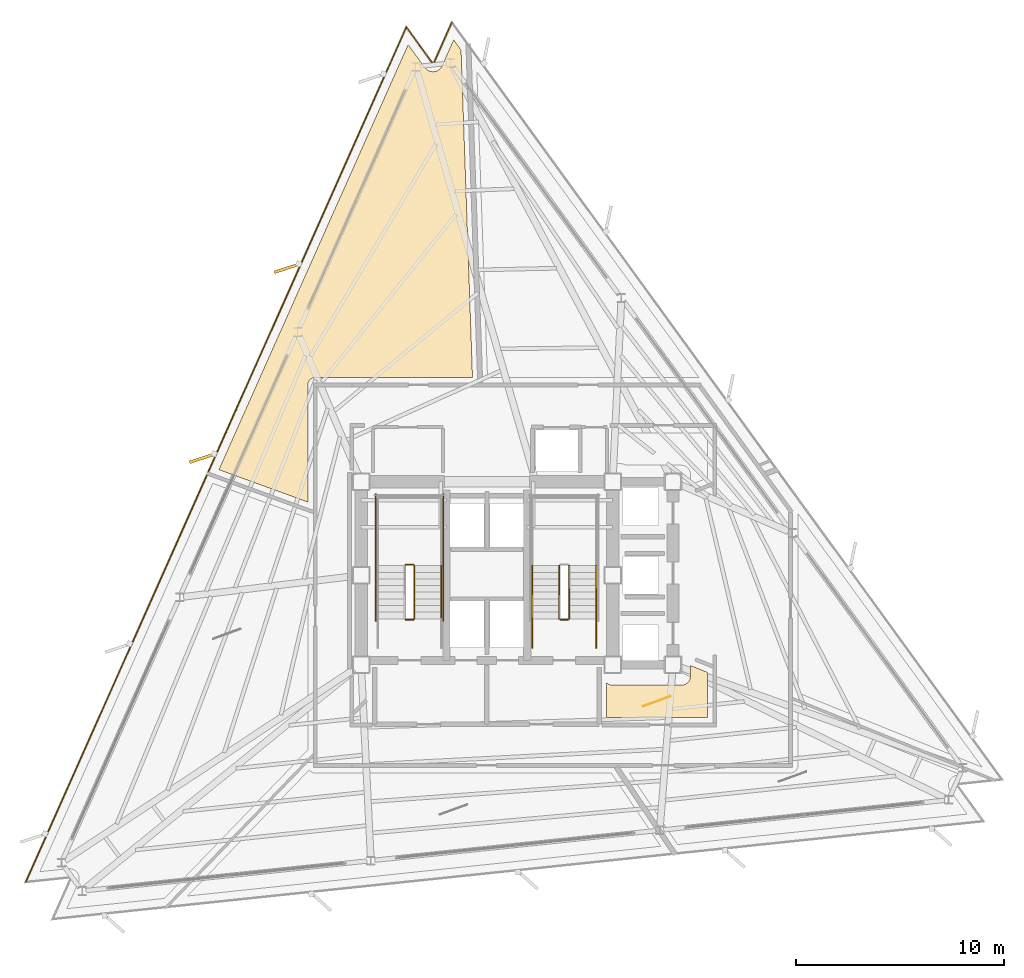
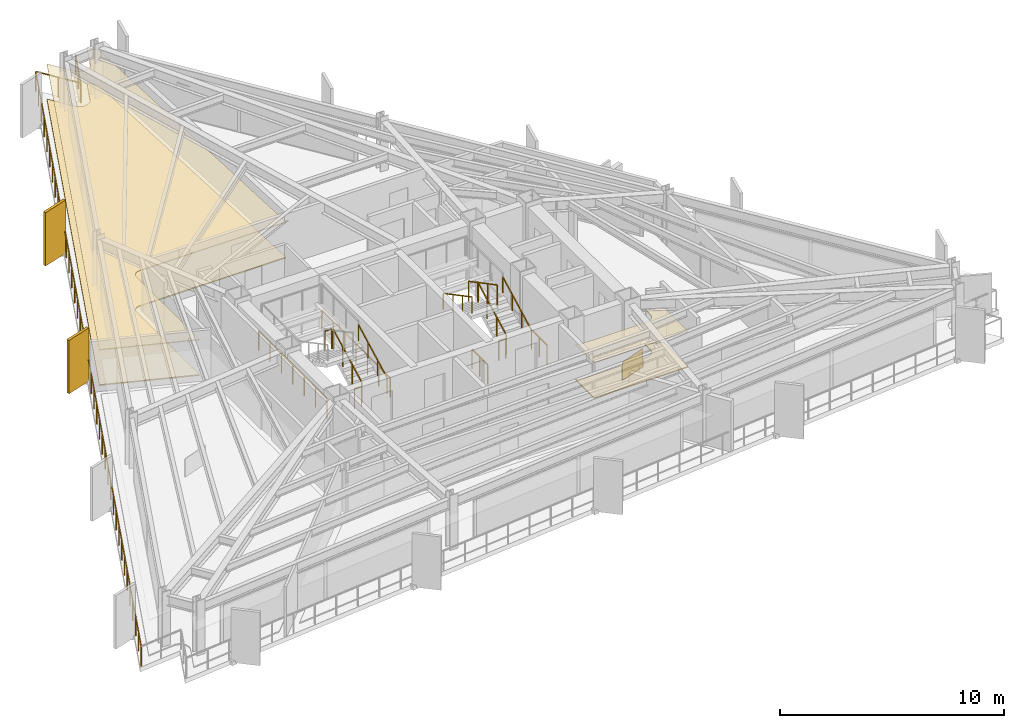
# One storey, part 11 of 13: 14 railings, 5 coverings, 2 shading devices.
"""IFC4 building model written with IfcOpenShell, lengths in metres."""

from ifc_helpers import new_model, si_unit, direction, frame, origin, origin_2d, place, context, subcontext, project, spatial, polyline, rectangle, outline, extrude, material, layer, layer_set, type_object, element, save


model = new_model("IFC4")

# Units and contexts
model_context = context("Model", 3, precision=1e-05, world=origin(), true_north=direction((0.0, 1.0)))
body_context = subcontext(model_context, "Body", "Model", "MODEL_VIEW")
ifc_project = project(units=[si_unit("LENGTHUNIT", "METRE"), si_unit("AREAUNIT", "SQUARE_METRE"), si_unit("VOLUMEUNIT", "CUBIC_METRE"), si_unit("PLANEANGLEUNIT", "RADIAN"), si_unit("MASSUNIT", "GRAM", prefix="KILO")], contexts=[model_context])

# Site, building, storey
site_placement = place(None, origin())
site = spatial("IfcSite", under=ifc_project, at=site_placement, CompositionType="ELEMENT")
building_placement = place(site_placement, origin())
building = spatial("IfcBuilding", under=site, at=building_placement, Name="Rocaltana Carrier Exchange", CompositionType="ELEMENT")
storey_placement = place(building_placement, frame((0.0, 0.0, 119.840087890625)))
storey = spatial("IfcBuildingStorey", under=building, at=storey_placement, Name="L37", CompositionType="ELEMENT", Elevation=119.840087890625)

# Coverings
ifc_material_1 = material(Name="Calcium Sulphate & Aluminium Pedestal", Category="aluminium")
ifc_layer_1 = layer(ifc_material_1, 0.06005859375)
ifc_layer_set_1 = layer_set([ifc_layer_1], Name="Calcium Sulphate & Aluminium Pedestal")
covering_type_1 = type_object("IfcCoveringType", Name="Anti-Static Raised Exchange Access Floor 60", PredefinedType="FLOORING", material=ifc_layer_set_1)
covering_1_placement = place(storey_placement, origin())
element("IfcCovering", 1, at=covering_1_placement, inside=storey, type_object=covering_type_1, Name="L37 Cloud Architecture Office Finish Floor", PredefinedType="FLOORING", context=body_context, shape_type="SweptSolid", body=[
    extrude(outline(polyline([(5.739990234375, -6.840087890625), (5.739990234375, -5.161865234375), (5.748779296875, -5.170654296875), (5.760498046875, -5.18115234375), (5.78173828125, -5.198486328125), (5.794189453125, -5.2080078125), (5.817138671875, -5.22314453125), (5.83056640625, -5.231201171875), (5.85498046875, -5.244140625), (5.869140625, -5.2509765625), (5.894287109375, -5.261474609375), (5.9091796875, -5.2666015625), (5.935546875, -5.274658203125), (5.95068359375, -5.278564453125), (5.977783203125, -5.283935546875), (5.9931640625, -5.2861328125), (6.0205078125, -5.288818359375), (6.036376953125, -5.289794921875), (6.050048828125, -5.2900390625), (9.35009765625, -5.2900390625), (9.36376953125, -5.289794921875), (9.37939453125, -5.288818359375), (9.40673828125, -5.2861328125), (9.42236328125, -5.283935546875), (9.44921875, -5.278564453125), (9.464599609375, -5.274658203125), (9.49072265625, -5.2666015625), (9.505615234375, -5.261474609375), (9.531005859375, -5.2509765625), (9.545166015625, -5.244140625), (9.5693359375, -5.231201171875), (9.582763671875, -5.22314453125), (9.605712890625, -5.2080078125), (9.618408203125, -5.198486328125), (9.639404296875, -5.18115234375), (9.651123046875, -5.170654296875), (9.670654296875, -5.151123046875), (9.68115234375, -5.139404296875), (9.698486328125, -5.118408203125), (9.7080078125, -5.105712890625), (9.72314453125, -5.082763671875), (9.731201171875, -5.0693359375), (9.744140625, -5.045166015625), (9.7509765625, -5.031005859375), (9.761474609375, -5.005615234375), (9.7666015625, -4.99072265625), (9.774658203125, -4.964599609375), (9.778564453125, -4.94921875), (9.783935546875, -4.92236328125), (9.7861328125, -4.90673828125), (9.788818359375, -4.87939453125), (9.789794921875, -4.86376953125), (9.7900390625, -4.85009765625), (9.7900390625, -4.34375), (10.60009765625, -4.6708984375), (10.60009765625, -6.840087890625), (5.739990234375, -6.840087890625)])), origin(), (0.0, 0.0, 1.0), 0.059814453125),
])
covering_2_placement = place(storey_placement, origin())
element("IfcCovering", 2, at=covering_2_placement, inside=storey, type_object=covering_type_1, Name="L37 Quiet Focus Lounge Finish Floor", PredefinedType="FLOORING", context=body_context, shape_type="SweptSolid", body=[
    extrude(outline(polyline([(-3.787841796875, 25.51513671875), (-2.9833984375, 24.407958984375), (-2.974853515625, 24.39697265625), (-2.96240234375, 24.38134765625), (-2.943603515625, 24.360595703125), (-2.9296875, 24.34619140625), (-2.9091796875, 24.327392578125), (-2.893798828125, 24.314697265625), (-2.87158203125, 24.2978515625), (-2.85498046875, 24.286865234375), (-2.8310546875, 24.272216796875), (-2.8134765625, 24.262939453125), (-2.788330078125, 24.2509765625), (-2.77001953125, 24.243408203125), (-2.74365234375, 24.23388671875), (-2.724609375, 24.22802734375), (-2.697509765625, 24.22119140625), (-2.677978515625, 24.217529296875), (-2.650390625, 24.21337890625), (-2.630615234375, 24.211669921875), (-2.6025390625, 24.210205078125), (-2.58251953125, 24.21044921875), (-2.5546875, 24.2119140625), (-2.534912109375, 24.214111328125), (-2.50732421875, 24.21826171875), (-2.48779296875, 24.222412109375), (-2.460693359375, 24.2294921875), (-2.44189453125, 24.2353515625), (-2.41552734375, 24.2451171875), (-2.397216796875, 24.2529296875), (-2.372314453125, 24.26513671875), (-2.354736328125, 24.274658203125), (-2.3310546875, 24.289306640625), (-2.314697265625, 24.30078125), (-2.29248046875, 24.317626953125), (-2.277099609375, 24.33056640625), (-2.2568359375, 24.349609375), (-2.242919921875, 24.364013671875), (-2.224609375, 24.385009765625), (-2.212158203125, 24.400634765625), (-2.196044921875, 24.42333984375), (-2.185302734375, 24.440185546875), (-2.17138671875, 24.464599609375), (-2.16259765625, 24.482421875), (-2.156494140625, 24.494873046875), (-1.599853515625, 25.7451171875), (-1.2421875, 25.252685546875), (-0.6923828125, 9.510009765625), (-8.25, 9.510009765625), (-8.263671875, 9.509765625), (-8.271484375, 9.50927734375), (-8.298828125, 9.506591796875), (-8.306640625, 9.50537109375), (-8.33349609375, 9.5), (-8.34130859375, 9.498291015625), (-8.36767578125, 9.490234375), (-8.375, 9.487548828125), (-8.400390625, 9.47705078125), (-8.407470703125, 9.4736328125), (-8.431640625, 9.460693359375), (-8.4384765625, 9.456787109375), (-8.461181640625, 9.44140625), (-8.467529296875, 9.436767578125), (-8.48876953125, 9.419189453125), (-8.49462890625, 9.4140625), (-8.513916015625, 9.39453125), (-8.519287109375, 9.388916015625), (-8.53662109375, 9.367431640625), (-8.54150390625, 9.361083984375), (-8.556640625, 9.33837890625), (-8.560791015625, 9.331787109375), (-8.57373046875, 9.307373046875), (-8.576904296875, 9.30029296875), (-8.58740234375, 9.27490234375), (-8.590087890625, 9.267578125), (-8.59814453125, 9.2412109375), (-8.60009765625, 9.233642578125), (-8.60546875, 9.206787109375), (-8.606689453125, 9.198974609375), (-8.609375, 9.171630859375), (-8.609619140625, 9.163818359375), (-8.610107421875, 9.14990234375), (-8.610107421875, 3.516845703125), (-12.888671875, 5.07421875), (-3.787841796875, 25.51513671875)])), origin(), (0.0, 0.0, 1.0), 0.059814453125),
])
ifc_material_2 = material(Name="Mineral Fibre & Powder-Coated Aluminium", Category="aluminium")
ifc_layer_2 = layer(ifc_material_2, 0.044921875)
ifc_layer_set_2 = layer_set([ifc_layer_2], Name="Mineral Fibre & Powder-Coated Aluminium")
covering_type_2 = type_object("IfcCoveringType", Name="Micro-Perforated Acoustic Ceiling 45", PredefinedType="CEILING", material=ifc_layer_set_2)
covering_3_placement = place(storey_placement, frame((0.0, 0.0, 1.932861328125)))
element("IfcCovering", 3, at=covering_3_placement, inside=storey, type_object=covering_type_2, Name="L37 Cloud Architecture Office Acoustic Ceiling", PredefinedType="CEILING", context=body_context, shape_type="SweptSolid", body=[
    extrude(outline(polyline([(5.739990234375, -6.840087890625), (5.739990234375, -5.161865234375), (5.748779296875, -5.170654296875), (5.760498046875, -5.18115234375), (5.78173828125, -5.198486328125), (5.794189453125, -5.2080078125), (5.817138671875, -5.22314453125), (5.83056640625, -5.231201171875), (5.85498046875, -5.244140625), (5.869140625, -5.2509765625), (5.894287109375, -5.261474609375), (5.9091796875, -5.2666015625), (5.935546875, -5.274658203125), (5.95068359375, -5.278564453125), (5.977783203125, -5.283935546875), (5.9931640625, -5.2861328125), (6.0205078125, -5.288818359375), (6.036376953125, -5.289794921875), (6.050048828125, -5.2900390625), (9.35009765625, -5.2900390625), (9.36376953125, -5.289794921875), (9.37939453125, -5.288818359375), (9.40673828125, -5.2861328125), (9.42236328125, -5.283935546875), (9.44921875, -5.278564453125), (9.464599609375, -5.274658203125), (9.49072265625, -5.2666015625), (9.505615234375, -5.261474609375), (9.531005859375, -5.2509765625), (9.545166015625, -5.244140625), (9.5693359375, -5.231201171875), (9.582763671875, -5.22314453125), (9.605712890625, -5.2080078125), (9.618408203125, -5.198486328125), (9.639404296875, -5.18115234375), (9.651123046875, -5.170654296875), (9.670654296875, -5.151123046875), (9.68115234375, -5.139404296875), (9.698486328125, -5.118408203125), (9.7080078125, -5.105712890625), (9.72314453125, -5.082763671875), (9.731201171875, -5.0693359375), (9.744140625, -5.045166015625), (9.7509765625, -5.031005859375), (9.761474609375, -5.005615234375), (9.7666015625, -4.99072265625), (9.774658203125, -4.964599609375), (9.778564453125, -4.94921875), (9.783935546875, -4.92236328125), (9.7861328125, -4.90673828125), (9.788818359375, -4.87939453125), (9.789794921875, -4.86376953125), (9.7900390625, -4.85009765625), (9.7900390625, -4.34375), (10.60009765625, -4.6708984375), (10.60009765625, -6.840087890625), (5.739990234375, -6.840087890625)])), origin(), (0.0, 0.0, 1.0), 0.045166015625),
])
covering_4_placement = place(storey_placement, frame((0.0, 0.0, 1.932861328125)))
element("IfcCovering", 4, at=covering_4_placement, inside=storey, type_object=covering_type_2, Name="L37 Quiet Focus Lounge Acoustic Ceiling", PredefinedType="CEILING", context=body_context, shape_type="SweptSolid", body=[
    extrude(outline(polyline([(-3.787841796875, 25.51513671875), (-2.9833984375, 24.407958984375), (-2.974853515625, 24.39697265625), (-2.96240234375, 24.38134765625), (-2.943603515625, 24.360595703125), (-2.9296875, 24.34619140625), (-2.9091796875, 24.327392578125), (-2.893798828125, 24.314697265625), (-2.87158203125, 24.2978515625), (-2.85498046875, 24.286865234375), (-2.8310546875, 24.272216796875), (-2.8134765625, 24.262939453125), (-2.788330078125, 24.2509765625), (-2.77001953125, 24.243408203125), (-2.74365234375, 24.23388671875), (-2.724609375, 24.22802734375), (-2.697509765625, 24.22119140625), (-2.677978515625, 24.217529296875), (-2.650390625, 24.21337890625), (-2.630615234375, 24.211669921875), (-2.6025390625, 24.210205078125), (-2.58251953125, 24.21044921875), (-2.5546875, 24.2119140625), (-2.534912109375, 24.214111328125), (-2.50732421875, 24.21826171875), (-2.48779296875, 24.222412109375), (-2.460693359375, 24.2294921875), (-2.44189453125, 24.2353515625), (-2.41552734375, 24.2451171875), (-2.397216796875, 24.2529296875), (-2.372314453125, 24.26513671875), (-2.354736328125, 24.274658203125), (-2.3310546875, 24.289306640625), (-2.314697265625, 24.30078125), (-2.29248046875, 24.317626953125), (-2.277099609375, 24.33056640625), (-2.2568359375, 24.349609375), (-2.242919921875, 24.364013671875), (-2.224609375, 24.385009765625), (-2.212158203125, 24.400634765625), (-2.196044921875, 24.42333984375), (-2.185302734375, 24.440185546875), (-2.17138671875, 24.464599609375), (-2.16259765625, 24.482421875), (-2.156494140625, 24.494873046875), (-1.599853515625, 25.7451171875), (-1.2421875, 25.252685546875), (-0.6923828125, 9.510009765625), (-8.25, 9.510009765625), (-8.263671875, 9.509765625), (-8.271484375, 9.50927734375), (-8.298828125, 9.506591796875), (-8.306640625, 9.50537109375), (-8.33349609375, 9.5), (-8.34130859375, 9.498291015625), (-8.36767578125, 9.490234375), (-8.375, 9.487548828125), (-8.400390625, 9.47705078125), (-8.407470703125, 9.4736328125), (-8.431640625, 9.460693359375), (-8.4384765625, 9.456787109375), (-8.461181640625, 9.44140625), (-8.467529296875, 9.436767578125), (-8.48876953125, 9.419189453125), (-8.49462890625, 9.4140625), (-8.513916015625, 9.39453125), (-8.519287109375, 9.388916015625), (-8.53662109375, 9.367431640625), (-8.54150390625, 9.361083984375), (-8.556640625, 9.33837890625), (-8.560791015625, 9.331787109375), (-8.57373046875, 9.307373046875), (-8.576904296875, 9.30029296875), (-8.58740234375, 9.27490234375), (-8.590087890625, 9.267578125), (-8.59814453125, 9.2412109375), (-8.60009765625, 9.233642578125), (-8.60546875, 9.206787109375), (-8.606689453125, 9.198974609375), (-8.609375, 9.171630859375), (-8.609619140625, 9.163818359375), (-8.610107421875, 9.14990234375), (-8.610107421875, 3.516845703125), (-12.888671875, 5.07421875), (-3.787841796875, 25.51513671875)])), origin(), (0.0, 0.0, 1.0), 0.045166015625),
])

# Railings
ifc_material_3 = material(Name="Brushed Architectural Stainless Tube", Category="steel")
ifc_layer_3 = layer(ifc_material_3, 0.048095703125)
ifc_layer_set_3 = layer_set([ifc_layer_3], Name="Brushed Architectural Stainless Tube")
railing_type_1 = type_object("IfcRailingType", Name="Stair Wall Handrail 920", PredefinedType="HANDRAIL", material=ifc_layer_set_3)
for number, where, name in (
    (5, (-2.18994140625, -2.10009765625, 0.168701171875), "L37 ST-1 stair handrail 1"),
    (6, (5.25, -2.10009765625, 0.168701171875), "L37 ST-2 stair handrail 1"),
):
    element("IfcRailing", number, at=place(storey_placement, frame(where)), inside=storey, type_object=railing_type_1, Name=name, PredefinedType="HANDRAIL", context=body_context, shape_type="SweptSolid", body=[
        extrude(rectangle(XDim=0.048095703125, YDim=0.048095703125, at=origin_2d()), frame((0.0, 0.0, 0.8759765625), z_axis=(0.0, 0.884359608194, 0.46680625895), x_axis=(-1.0, 0.0, 0.0)), (0.0, 0.0, 1.0), 2.894775390625),
        extrude(rectangle(XDim=0.0419921875, YDim=0.0419921875, at=origin_2d()), origin(), (0.0, 0.0, 1.0), 0.851806640625),
        extrude(rectangle(XDim=0.0419921875, YDim=0.0419921875, at=origin_2d()), frame((0.0, 0.853271484375, 0.450439453125)), (0.0, 0.0, 1.0), 0.851806640625),
        extrude(rectangle(XDim=0.0419921875, YDim=0.0419921875, at=origin_2d()), frame((0.0, 1.706787109375, 0.90087890625)), (0.0, 0.0, 1.0), 0.851806640625),
        extrude(rectangle(XDim=0.0419921875, YDim=0.0419921875, at=origin_2d()), frame((0.0, 2.56005859375, 1.351318359375)), (0.0, 0.0, 1.0), 0.851806640625),
    ])
railing_1_placement = place(storey_placement, frame((2.18994140625, 0.4599609375, 1.688720703125)))
element("IfcRailing", 7, at=railing_1_placement, inside=storey, type_object=railing_type_1, Name="L37 ST-2 stair handrail 2", PredefinedType="HANDRAIL", context=body_context, shape_type="SweptSolid", body=[
    extrude(rectangle(XDim=0.048095703125, YDim=0.048095703125, at=origin_2d()), frame((0.0, 0.0, 0.8759765625), z_axis=(0.0, -0.884394423565, 0.466740295633), x_axis=(1.0, 0.0, 0.0)), (0.0, 0.0, 1.0), 2.894775390625),
    extrude(rectangle(XDim=0.0419921875, YDim=0.0419921875, at=origin_2d()), origin(), (0.0, 0.0, 1.0), 0.851806640625),
    extrude(rectangle(XDim=0.0419921875, YDim=0.0419921875, at=origin_2d()), frame((0.0, -0.853271484375, 0.450439453125)), (0.0, 0.0, 1.0), 0.851806640625),
    extrude(rectangle(XDim=0.0419921875, YDim=0.0419921875, at=origin_2d()), frame((0.0, -1.706787109375, 0.900634765625)), (0.0, 0.0, 1.0), 0.851806640625),
    extrude(rectangle(XDim=0.0419921875, YDim=0.0419921875, at=origin_2d()), frame((0.0, -2.56005859375, 1.35107421875)), (0.0, 0.0, 1.0), 0.851806640625),
])
ifc_material_4 = material(Name="Powder-Coated Aluminium 6063-T6", Category="aluminium")
ifc_layer_4 = layer(ifc_material_4, 0.048095703125)
ifc_layer_set_4 = layer_set([ifc_layer_4], Name="Powder-Coated Aluminium 6063-T6")
railing_type_2 = type_object("IfcRailingType", Name="Stair Well Guardrail 1100", PredefinedType="GUARDRAIL", material=ifc_layer_set_4)
railing_2_placement = place(storey_placement, frame((-3.489990234375, -2.10009765625, 0.168701171875)))
element("IfcRailing", 8, at=railing_2_placement, inside=storey, type_object=railing_type_2, Name="L37 ST-1 stair guard 1", PredefinedType="GUARDRAIL", context=body_context, shape_type="SweptSolid", body=[
    extrude(rectangle(XDim=0.048095703125, YDim=0.048095703125, at=origin_2d()), frame((0.0, 0.0, 1.076171875), z_axis=(0.0, 0.884359608194, 0.46680625895), x_axis=(-1.0, 0.0, 0.0)), (0.0, 0.0, 1.0), 2.894775390625),
    extrude(rectangle(XDim=0.0419921875, YDim=0.0419921875, at=origin_2d()), origin(), (0.0, 0.0, 1.0), 1.052001953125),
    extrude(rectangle(XDim=0.0419921875, YDim=0.0419921875, at=origin_2d()), frame((0.0, 0.853271484375, 0.450439453125)), (0.0, 0.0, 1.0), 1.052001953125),
    extrude(rectangle(XDim=0.0419921875, YDim=0.0419921875, at=origin_2d()), frame((0.0, 1.706787109375, 0.90087890625)), (0.0, 0.0, 1.0), 1.052001953125),
    extrude(rectangle(XDim=0.0419921875, YDim=0.0419921875, at=origin_2d()), frame((0.0, 2.56005859375, 1.351318359375)), (0.0, 0.0, 1.0), 1.052001953125),
])
for number, where, name in (
    (9, (-3.5400390625, 0.510009765625, 1.52001953125), "L37 ST-1 stair guard 2"),
    (10, (-3.5400390625, -2.14990234375, 0.0), "L37 ST-1 stair guard 7"),
):
    element("IfcRailing", number, at=place(storey_placement, frame(where)), inside=storey, type_object=railing_type_2, Name=name, PredefinedType="GUARDRAIL", context=body_context, shape_type="SweptSolid", body=[
        extrude(rectangle(XDim=0.048095703125, YDim=0.048095703125, at=origin_2d()), frame((0.0, 0.0, 1.076171875), z_axis=(-1.0, 0.0, 0.0), x_axis=(0.0, -1.0, 0.0)), (0.0, 0.0, 1.0), 0.35986328125),
        extrude(rectangle(XDim=0.0419921875, YDim=0.0419921875, at=origin_2d()), origin(), (0.0, 0.0, 1.0), 1.052001953125),
        extrude(rectangle(XDim=0.0419921875, YDim=0.0419921875, at=origin_2d()), frame((-0.35986328125, 0.0, 0.0)), (0.0, 0.0, 1.0), 1.052001953125),
    ])
for number, where, name in (
    (11, (-2.090087890625, -2.199951171875, 0.0), "L37 ST-1 stair guard 10"),
    (12, (-5.35009765625, -2.199951171875, 0.0), "L37 ST-1 stair guard 11"),
):
    element("IfcRailing", number, at=place(storey_placement, frame(where)), inside=storey, type_object=railing_type_2, Name=name, PredefinedType="GUARDRAIL", context=body_context, shape_type="SweptSolid", body=[
        extrude(rectangle(XDim=0.048095703125, YDim=0.048095703125, at=origin_2d()), frame((0.0, 0.0, 1.076171875), z_axis=(0.0, 1.0, 0.0), x_axis=(-1.0, 0.0, 0.0)), (0.0, 0.0, 1.0), 6.099853515625),
        extrude(rectangle(XDim=0.0419921875, YDim=0.0419921875, at=origin_2d()), origin(), (0.0, 0.0, 1.0), 1.052001953125),
        extrude(rectangle(XDim=0.0419921875, YDim=0.0419921875, at=origin_2d()), frame((0.0, 1.0166015625, 0.0)), (0.0, 0.0, 1.0), 1.052001953125),
        extrude(rectangle(XDim=0.0419921875, YDim=0.0419921875, at=origin_2d()), frame((0.0, 2.033203125, 0.0)), (0.0, 0.0, 1.0), 1.052001953125),
        extrude(rectangle(XDim=0.0419921875, YDim=0.0419921875, at=origin_2d()), frame((0.0, 3.0498046875, 0.0)), (0.0, 0.0, 1.0), 1.052001953125),
        extrude(rectangle(XDim=0.0419921875, YDim=0.0419921875, at=origin_2d()), frame((0.0, 4.066650390625, 0.0)), (0.0, 0.0, 1.0), 1.052001953125),
        extrude(rectangle(XDim=0.0419921875, YDim=0.0419921875, at=origin_2d()), frame((0.0, 5.083251953125, 0.0)), (0.0, 0.0, 1.0), 1.052001953125),
        extrude(rectangle(XDim=0.0419921875, YDim=0.0419921875, at=origin_2d()), frame((0.0, 6.099853515625, 0.0)), (0.0, 0.0, 1.0), 1.052001953125),
    ])
railing_3_placement = place(storey_placement, frame((3.949951171875, -2.10009765625, 0.168701171875)))
element("IfcRailing", 13, at=railing_3_placement, inside=storey, type_object=railing_type_2, Name="L37 ST-2 stair guard 1", PredefinedType="GUARDRAIL", context=body_context, shape_type="SweptSolid", body=[
    extrude(rectangle(XDim=0.048095703125, YDim=0.048095703125, at=origin_2d()), frame((0.0, 0.0, 1.076171875), z_axis=(0.0, 0.884359608194, 0.46680625895), x_axis=(-1.0, 0.0, 0.0)), (0.0, 0.0, 1.0), 2.894775390625),
    extrude(rectangle(XDim=0.0419921875, YDim=0.0419921875, at=origin_2d()), origin(), (0.0, 0.0, 1.0), 1.052001953125),
    extrude(rectangle(XDim=0.0419921875, YDim=0.0419921875, at=origin_2d()), frame((0.0, 0.853271484375, 0.450439453125)), (0.0, 0.0, 1.0), 1.052001953125),
    extrude(rectangle(XDim=0.0419921875, YDim=0.0419921875, at=origin_2d()), frame((0.0, 1.706787109375, 0.90087890625)), (0.0, 0.0, 1.0), 1.052001953125),
    extrude(rectangle(XDim=0.0419921875, YDim=0.0419921875, at=origin_2d()), frame((0.0, 2.56005859375, 1.351318359375)), (0.0, 0.0, 1.0), 1.052001953125),
])
railing_4_placement = place(storey_placement, frame((3.489990234375, 0.4599609375, 1.688720703125)))
element("IfcRailing", 14, at=railing_4_placement, inside=storey, type_object=railing_type_2, Name="L37 ST-2 stair guard 6", PredefinedType="GUARDRAIL", context=body_context, shape_type="SweptSolid", body=[
    extrude(rectangle(XDim=0.048095703125, YDim=0.048095703125, at=origin_2d()), frame((0.0, 0.0, 1.076171875), z_axis=(0.0, -0.884394423565, 0.466740295633), x_axis=(1.0, 0.0, 0.0)), (0.0, 0.0, 1.0), 2.894775390625),
    extrude(rectangle(XDim=0.0419921875, YDim=0.0419921875, at=origin_2d()), origin(), (0.0, 0.0, 1.0), 1.052001953125),
    extrude(rectangle(XDim=0.0419921875, YDim=0.0419921875, at=origin_2d()), frame((0.0, -0.853271484375, 0.450439453125)), (0.0, 0.0, 1.0), 1.052001953125),
    extrude(rectangle(XDim=0.0419921875, YDim=0.0419921875, at=origin_2d()), frame((0.0, -1.706787109375, 0.900634765625)), (0.0, 0.0, 1.0), 1.052001953125),
    extrude(rectangle(XDim=0.0419921875, YDim=0.0419921875, at=origin_2d()), frame((0.0, -2.56005859375, 1.35107421875)), (0.0, 0.0, 1.0), 1.052001953125),
])
railing_5_placement = place(storey_placement, frame((3.89990234375, -2.14990234375, 0.0)))
element("IfcRailing", 15, at=railing_5_placement, inside=storey, type_object=railing_type_2, Name="L37 ST-2 stair guard 7", PredefinedType="GUARDRAIL", context=body_context, shape_type="SweptSolid", body=[
    extrude(rectangle(XDim=0.048095703125, YDim=0.048095703125, at=origin_2d()), frame((0.0, 0.0, 1.076171875), z_axis=(-1.0, 0.0, 0.0), x_axis=(0.0, -1.0, 0.0)), (0.0, 0.0, 1.0), 0.35986328125),
    extrude(rectangle(XDim=0.0419921875, YDim=0.0419921875, at=origin_2d()), origin(), (0.0, 0.0, 1.0), 1.052001953125),
    extrude(rectangle(XDim=0.0419921875, YDim=0.0419921875, at=origin_2d()), frame((-0.35986328125, 0.0, 0.0)), (0.0, 0.0, 1.0), 1.052001953125),
])
for number, where, name in (
    (16, (5.25, -3.5, 0.0), "L37 ST-2 stair guard 8"),
    (17, (2.18994140625, -3.5, 0.0), "L37 ST-2 stair guard 9"),
):
    element("IfcRailing", number, at=place(storey_placement, frame(where)), inside=storey, type_object=railing_type_2, Name=name, PredefinedType="GUARDRAIL", context=body_context, shape_type="SweptSolid", body=[
        extrude(rectangle(XDim=0.048095703125, YDim=0.048095703125, at=origin_2d()), frame((0.0, 0.0, 1.076171875), z_axis=(0.0, 1.0, 0.0), x_axis=(-1.0, 0.0, 0.0)), (0.0, 0.0, 1.0), 1.39990234375),
        extrude(rectangle(XDim=0.0419921875, YDim=0.0419921875, at=origin_2d()), origin(), (0.0, 0.0, 1.0), 1.052001953125),
        extrude(rectangle(XDim=0.0419921875, YDim=0.0419921875, at=origin_2d()), frame((0.0, 0.699951171875, 0.0)), (0.0, 0.0, 1.0), 1.052001953125),
        extrude(rectangle(XDim=0.0419921875, YDim=0.0419921875, at=origin_2d()), frame((0.0, 1.39990234375, 0.0)), (0.0, 0.0, 1.0), 1.052001953125),
    ])

# Covering
ifc_material_5 = material(Name="Honed Piedra Muneca Sandstone", Category="masonry")
ifc_layer_5 = layer(ifc_material_5, 0.034912109375)
ifc_layer_set_5 = layer_set([ifc_layer_5], Name="Honed Piedra Muneca Sandstone")
covering_type_3 = type_object("IfcCoveringType", Name="Stone Facade Cladding 35", PredefinedType="CLADDING", material=ifc_layer_set_5)
covering_5_placement = place(storey_placement, frame((8.169921875, -6.06494140625, 0.0), z_axis=(0.0, 0.0, 1.0), x_axis=(0.939692620786, 0.342020143326, 0.0)))
element("IfcCovering", 18, at=covering_5_placement, inside=storey, type_object=covering_type_3, Name="L37 Stone Facade Cladding Panel 3", PredefinedType="CLADDING", context=body_context, shape_type="SweptSolid", body=[
    extrude(rectangle(XDim=1.39990234375, YDim=0.034912109375, at=origin_2d()), origin(), (0.0, 0.0, 1.0), 1.050048828125),
])

# Shading devices
ifc_material_6 = material(Name="Honed Bogota Sandstone & Concrete C45/55", Category="masonry")
ifc_layer_6 = layer(ifc_material_6, 0.139892578125)
ifc_layer_set_6 = layer_set([ifc_layer_6], Name="Honed Bogota Sandstone & Concrete C45/55")
shading_device_type = type_object("IfcShadingDeviceType", Name="Vertical Sandstone Shading Fin 1320x140", PredefinedType="USERDEFINED", material=ifc_layer_set_6)
for number, where, z_axis, x_axis, name in (
    (19, (-9.602783203125, 14.767578125, -0.1201171875), (0.0, 0.0, 1.0), (-0.951056516295, -0.309016994375, 0.0), "L37 Sandstone Vertical Fin F2-02"),
    (20, (-13.670166015625, 5.632080078125, -0.1201171875), (0.0, 0.0, 1.0), (-0.951056516295, -0.309016994375, 0.0), "L37 Sandstone Vertical Fin F2-03"),
):
    element("IfcShadingDevice", number, at=place(storey_placement, frame(where, z_axis=z_axis, x_axis=x_axis)), inside=storey, type_object=shading_device_type, Name=name, ObjectType="FIN", PredefinedType="USERDEFINED", context=body_context, shape_type="SweptSolid", body=[
        extrude(rectangle(XDim=1.320068359375, YDim=0.139892578125, at=origin_2d()), origin(), (0.0, 0.0, 1.0), 2.907958984375),
    ])

# Railing
ifc_material_7 = material(Name="Powder-Coated Aluminium 6063-T6", Category="aluminium")
ifc_layer_7 = layer(ifc_material_7, 0.06005859375)
ifc_layer_set_7 = layer_set([ifc_layer_7], Name="Powder-Coated Aluminium 6063-T6")
railing_type_3 = type_object("IfcRailingType", Name="Wind-Floor & Terrace Perimeter Guardrail 1100", PredefinedType="GUARDRAIL", material=ifc_layer_set_7)
railing_6_placement = place(storey_placement, frame((-22.175537109375, -14.751953125, 0.0)))
element("IfcRailing", 21, at=railing_6_placement, inside=storey, type_object=railing_type_3, Name="L37 Perimeter Balcony Guardrail 2", PredefinedType="GUARDRAIL", context=body_context, shape_type="SweptSolid", body=[
    extrude(rectangle(XDim=0.048095703125, YDim=0.048095703125, at=origin_2d()), frame((0.0, 0.0, 1.076171875), z_axis=(0.406732474308, 0.913547313686, 0.0), x_axis=(-0.913547313686, 0.406732474308, 0.0)), (0.0, 0.0, 1.0), 44.9921875),
    extrude(rectangle(XDim=0.048095703125, YDim=0.048095703125, at=origin_2d()), frame((18.2998046875, 41.1025390625, 1.076171875), z_axis=(0.587821928992, -0.808990345923, 0.0), x_axis=(0.808990345923, 0.587821928992, 0.0)), (0.0, 0.0, 1.0), 2.199951171875),
    extrude(rectangle(XDim=0.048095703125, YDim=0.048095703125, at=origin_2d()), frame((19.593017578125, 39.32275390625, 1.076171875), z_axis=(0.406725294076, 0.913550510459, 0.0), x_axis=(-0.913550510459, 0.406725294076, 0.0)), (0.0, 0.0, 1.0), 2.199951171875),
    extrude(rectangle(XDim=0.0419921875, YDim=0.0419921875, at=origin_2d()), origin(), (0.0, 0.0, 1.0), 1.052001953125),
    extrude(rectangle(XDim=0.0419921875, YDim=0.0419921875, at=origin_2d()), frame((0.481689453125, 1.08154296875, 0.0)), (0.0, 0.0, 1.0), 1.052001953125),
    extrude(rectangle(XDim=0.0419921875, YDim=0.0419921875, at=origin_2d()), frame((0.963134765625, 2.163330078125, 0.0)), (0.0, 0.0, 1.0), 1.052001953125),
    extrude(rectangle(XDim=0.0419921875, YDim=0.0419921875, at=origin_2d()), frame((1.44482421875, 3.244873046875, 0.0)), (0.0, 0.0, 1.0), 1.052001953125),
    extrude(rectangle(XDim=0.0419921875, YDim=0.0419921875, at=origin_2d()), frame((1.92626953125, 4.32666015625, 0.0)), (0.0, 0.0, 1.0), 1.052001953125),
    extrude(rectangle(XDim=0.0419921875, YDim=0.0419921875, at=origin_2d()), frame((2.407958984375, 5.408203125, 0.0)), (0.0, 0.0, 1.0), 1.052001953125),
    extrude(rectangle(XDim=0.0419921875, YDim=0.0419921875, at=origin_2d()), frame((2.889404296875, 6.489990234375, 0.0)), (0.0, 0.0, 1.0), 1.052001953125),
    extrude(rectangle(XDim=0.0419921875, YDim=0.0419921875, at=origin_2d()), frame((3.37109375, 7.571533203125, 0.0)), (0.0, 0.0, 1.0), 1.052001953125),
    extrude(rectangle(XDim=0.0419921875, YDim=0.0419921875, at=origin_2d()), frame((3.8525390625, 8.653076171875, 0.0)), (0.0, 0.0, 1.0), 1.052001953125),
    extrude(rectangle(XDim=0.0419921875, YDim=0.0419921875, at=origin_2d()), frame((4.334228515625, 9.73486328125, 0.0)), (0.0, 0.0, 1.0), 1.052001953125),
    extrude(rectangle(XDim=0.0419921875, YDim=0.0419921875, at=origin_2d()), frame((4.815673828125, 10.81640625, 0.0)), (0.0, 0.0, 1.0), 1.052001953125),
    extrude(rectangle(XDim=0.0419921875, YDim=0.0419921875, at=origin_2d()), frame((5.29736328125, 11.898193359375, 0.0)), (0.0, 0.0, 1.0), 1.052001953125),
    extrude(rectangle(XDim=0.0419921875, YDim=0.0419921875, at=origin_2d()), frame((5.77880859375, 12.979736328125, 0.0)), (0.0, 0.0, 1.0), 1.052001953125),
    extrude(rectangle(XDim=0.0419921875, YDim=0.0419921875, at=origin_2d()), frame((6.260498046875, 14.061279296875, 0.0)), (0.0, 0.0, 1.0), 1.052001953125),
    extrude(rectangle(XDim=0.0419921875, YDim=0.0419921875, at=origin_2d()), frame((6.741943359375, 15.14306640625, 0.0)), (0.0, 0.0, 1.0), 1.052001953125),
    extrude(rectangle(XDim=0.0419921875, YDim=0.0419921875, at=origin_2d()), frame((7.2236328125, 16.224609375, 0.0)), (0.0, 0.0, 1.0), 1.052001953125),
    extrude(rectangle(XDim=0.0419921875, YDim=0.0419921875, at=origin_2d()), frame((7.705078125, 17.306396484375, 0.0)), (0.0, 0.0, 1.0), 1.052001953125),
    extrude(rectangle(XDim=0.0419921875, YDim=0.0419921875, at=origin_2d()), frame((8.186767578125, 18.387939453125, 0.0)), (0.0, 0.0, 1.0), 1.052001953125),
    extrude(rectangle(XDim=0.0419921875, YDim=0.0419921875, at=origin_2d()), frame((8.668212890625, 19.4697265625, 0.0)), (0.0, 0.0, 1.0), 1.052001953125),
    extrude(rectangle(XDim=0.0419921875, YDim=0.0419921875, at=origin_2d()), frame((9.14990234375, 20.55126953125, 0.0)), (0.0, 0.0, 1.0), 1.052001953125),
    extrude(rectangle(XDim=0.0419921875, YDim=0.0419921875, at=origin_2d()), frame((9.631591796875, 21.6328125, 0.0)), (0.0, 0.0, 1.0), 1.052001953125),
    extrude(rectangle(XDim=0.0419921875, YDim=0.0419921875, at=origin_2d()), frame((10.113037109375, 22.714599609375, 0.0)), (0.0, 0.0, 1.0), 1.052001953125),
    extrude(rectangle(XDim=0.0419921875, YDim=0.0419921875, at=origin_2d()), frame((10.5947265625, 23.796142578125, 0.0)), (0.0, 0.0, 1.0), 1.052001953125),
    extrude(rectangle(XDim=0.0419921875, YDim=0.0419921875, at=origin_2d()), frame((11.076171875, 24.8779296875, 0.0)), (0.0, 0.0, 1.0), 1.052001953125),
    extrude(rectangle(XDim=0.0419921875, YDim=0.0419921875, at=origin_2d()), frame((11.557861328125, 25.95947265625, 0.0)), (0.0, 0.0, 1.0), 1.052001953125),
    extrude(rectangle(XDim=0.0419921875, YDim=0.0419921875, at=origin_2d()), frame((12.039306640625, 27.041259765625, 0.0)), (0.0, 0.0, 1.0), 1.052001953125),
    extrude(rectangle(XDim=0.0419921875, YDim=0.0419921875, at=origin_2d()), frame((12.52099609375, 28.122802734375, 0.0)), (0.0, 0.0, 1.0), 1.052001953125),
    extrude(rectangle(XDim=0.0419921875, YDim=0.0419921875, at=origin_2d()), frame((13.00244140625, 29.204345703125, 0.0)), (0.0, 0.0, 1.0), 1.052001953125),
    extrude(rectangle(XDim=0.0419921875, YDim=0.0419921875, at=origin_2d()), frame((13.484130859375, 30.2861328125, 0.0)), (0.0, 0.0, 1.0), 1.052001953125),
    extrude(rectangle(XDim=0.0419921875, YDim=0.0419921875, at=origin_2d()), frame((13.965576171875, 31.36767578125, 0.0)), (0.0, 0.0, 1.0), 1.052001953125),
    extrude(rectangle(XDim=0.0419921875, YDim=0.0419921875, at=origin_2d()), frame((14.447265625, 32.449462890625, 0.0)), (0.0, 0.0, 1.0), 1.052001953125),
    extrude(rectangle(XDim=0.0419921875, YDim=0.0419921875, at=origin_2d()), frame((14.9287109375, 33.531005859375, 0.0)), (0.0, 0.0, 1.0), 1.052001953125),
    extrude(rectangle(XDim=0.0419921875, YDim=0.0419921875, at=origin_2d()), frame((15.410400390625, 34.612548828125, 0.0)), (0.0, 0.0, 1.0), 1.052001953125),
    extrude(rectangle(XDim=0.0419921875, YDim=0.0419921875, at=origin_2d()), frame((15.891845703125, 35.6943359375, 0.0)), (0.0, 0.0, 1.0), 1.052001953125),
    extrude(rectangle(XDim=0.0419921875, YDim=0.0419921875, at=origin_2d()), frame((16.37353515625, 36.77587890625, 0.0)), (0.0, 0.0, 1.0), 1.052001953125),
    extrude(rectangle(XDim=0.0419921875, YDim=0.0419921875, at=origin_2d()), frame((16.85498046875, 37.857666015625, 0.0)), (0.0, 0.0, 1.0), 1.052001953125),
    extrude(rectangle(XDim=0.0419921875, YDim=0.0419921875, at=origin_2d()), frame((17.336669921875, 38.939208984375, 0.0)), (0.0, 0.0, 1.0), 1.052001953125),
    extrude(rectangle(XDim=0.0419921875, YDim=0.0419921875, at=origin_2d()), frame((17.818115234375, 40.02099609375, 0.0)), (0.0, 0.0, 1.0), 1.052001953125),
    extrude(rectangle(XDim=0.0419921875, YDim=0.0419921875, at=origin_2d()), frame((18.2998046875, 41.1025390625, 0.0)), (0.0, 0.0, 1.0), 1.052001953125),
    extrude(rectangle(XDim=0.0419921875, YDim=0.0419921875, at=origin_2d()), frame((18.9462890625, 40.212646484375, 0.0)), (0.0, 0.0, 1.0), 1.052001953125),
    extrude(rectangle(XDim=0.0419921875, YDim=0.0419921875, at=origin_2d()), frame((19.593017578125, 39.32275390625, 0.0)), (0.0, 0.0, 1.0), 1.052001953125),
    extrude(rectangle(XDim=0.0419921875, YDim=0.0419921875, at=origin_2d()), frame((20.04052734375, 40.32763671875, 0.0)), (0.0, 0.0, 1.0), 1.052001953125),
    extrude(rectangle(XDim=0.0419921875, YDim=0.0419921875, at=origin_2d()), frame((20.48779296875, 41.33251953125, 0.0)), (0.0, 0.0, 1.0), 1.052001953125),
])

save(model, "model.ifc")
